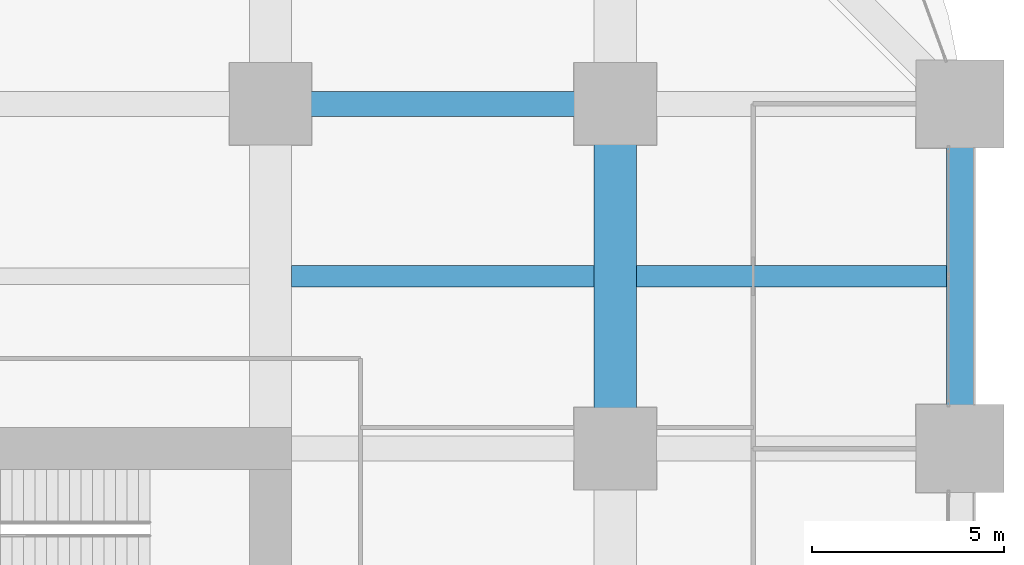
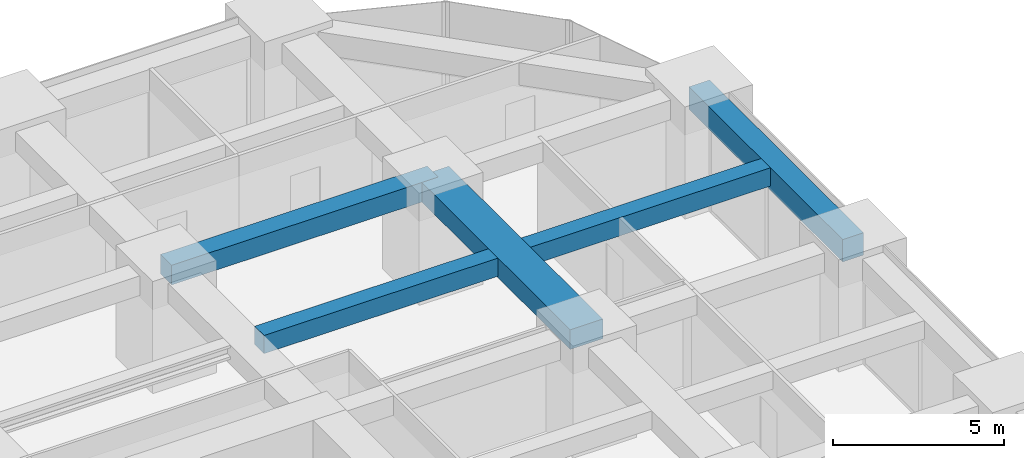
# One storey, part 33 of 44: 5 beams.
"""IFC4 building model written with IfcOpenShell, lengths in metres."""

from ifc_helpers import new_model, si_unit, direction, frame, origin, origin_2d, place, context, subcontext, project, spatial, rectangle, extrude, material, material_profile, profile_set, type_object, element, save


model = new_model("IFC4")

# Units and contexts
model_context = context("Model", 3, precision=1e-05, world=origin(), true_north=direction((0.0, 1.0)))
body_context = subcontext(model_context, "Body", "Model", "MODEL_VIEW")
ifc_project = project(units=[si_unit("LENGTHUNIT", "METRE"), si_unit("AREAUNIT", "SQUARE_METRE"), si_unit("VOLUMEUNIT", "CUBIC_METRE"), si_unit("PLANEANGLEUNIT", "RADIAN"), si_unit("MASSUNIT", "GRAM", prefix="KILO")], contexts=[model_context])

# Site, building, storey
site_placement = place(None, origin())
site = spatial("IfcSite", under=ifc_project, at=site_placement, CompositionType="ELEMENT")
building_placement = place(site_placement, origin())
building = spatial("IfcBuilding", under=site, at=building_placement, Name="Zorevar Civic Tower", CompositionType="ELEMENT")
storey_placement = place(building_placement, frame((0.0, 0.0, 55.800048828125)))
storey = spatial("IfcBuildingStorey", under=building, at=storey_placement, Name="L13", CompositionType="ELEMENT", Elevation=55.800048828125)

# Beams
ifc_material_1 = material(Name="Concrete C50/60", Category="concrete")
ifc_material_profile_1 = material_profile(ifc_material_1, rectangle(XDim=1.10009765625, YDim=0.699951171875, at=origin_2d()), Name="RC 1100x700")
ifc_profile_set_1 = profile_set([ifc_material_profile_1], Name="Concrete C50/60")
beam_type_1 = type_object("IfcBeamType", Name="Beam RC 1100x700", PredefinedType="BEAM", material=ifc_profile_set_1)
beam_1_placement = place(storey_placement, frame((54.0, 36.0, 3.39990234375), z_axis=(0.0, 1.0, 0.0), x_axis=(-1.0, 0.0, 0.0)))
element("IfcBeam", 1, at=beam_1_placement, inside=storey, type_object=beam_type_1, Name="Girder L14", PredefinedType="BEAM", context=body_context, shape_type="SweptSolid", body=[
    extrude(rectangle(XDim=1.10009765625, YDim=0.699951171875, at=origin_2d()), origin(), (0.0, 0.0, 1.0), 9.0),
])
ifc_material_2 = material(Name="Concrete C50/60", Category="concrete")
ifc_material_profile_2 = material_profile(ifc_material_2, rectangle(XDim=0.550048828125, YDim=0.64990234375, at=origin_2d()), Name="RC 550x650")
ifc_profile_set_2 = profile_set([ifc_material_profile_2], Name="Concrete C50/60")
beam_type_2 = type_object("IfcBeamType", Name="Beam RC 550x650", PredefinedType="BEAM", material=ifc_profile_set_2)
beam_2_placement = place(storey_placement, frame((45.550048828125, 40.5, 3.425048828125), z_axis=(1.0, 0.0, 0.0), x_axis=(0.0, 1.0, 0.0)))
element("IfcBeam", 2, at=beam_2_placement, inside=storey, type_object=beam_type_2, Name="Secondary beam L14", PredefinedType="BEAM", context=body_context, shape_type="SweptSolid", body=[
    extrude(rectangle(XDim=0.550048828125, YDim=0.64990234375, at=origin_2d()), origin(), (0.0, 0.0, 1.0), 7.89990234375),
])
beam_3_placement = place(storey_placement, frame((54.550048828125, 40.5, 3.425048828125), z_axis=(1.0, 0.0, 0.0), x_axis=(0.0, 1.0, 0.0)))
element("IfcBeam", 3, at=beam_3_placement, inside=storey, type_object=beam_type_2, Name="Secondary beam L14", PredefinedType="BEAM", context=body_context, shape_type="SweptSolid", body=[
    extrude(rectangle(XDim=0.550048828125, YDim=0.64990234375, at=origin_2d()), origin(), (0.0, 0.0, 1.0), 8.099853515625),
])
ifc_material_3 = material(Name="Concrete C50/60", Category="concrete")
ifc_material_profile_3 = material_profile(ifc_material_3, rectangle(XDim=0.64990234375, YDim=0.699951171875, at=origin_2d()), Name="RC 650x700")
ifc_profile_set_3 = profile_set([ifc_material_profile_3], Name="Concrete C50/60")
beam_type_3 = type_object("IfcBeamType", Name="Beam RC 650x700", PredefinedType="BEAM", material=ifc_profile_set_3)
beam_4_placement = place(storey_placement, frame((45.0, 45.0, 3.39990234375), z_axis=(1.0, 0.0, 0.0), x_axis=(0.0, 1.0, 0.0)))
element("IfcBeam", 4, at=beam_4_placement, inside=storey, type_object=beam_type_3, Name="Girder L14", PredefinedType="BEAM", context=body_context, shape_type="SweptSolid", body=[
    extrude(rectangle(XDim=0.64990234375, YDim=0.699951171875, at=origin_2d()), origin(), (0.0, 0.0, 1.0), 9.0),
])
ifc_material_4 = material(Name="Concrete C50/60", Category="concrete")
ifc_material_profile_4 = material_profile(ifc_material_4, rectangle(XDim=0.699951171875, YDim=0.800048828125, at=origin_2d()), Name="RC 700x800")
ifc_profile_set_4 = profile_set([ifc_material_profile_4], Name="Concrete C50/60")
beam_type_4 = type_object("IfcBeamType", Name="Edge beam RC 700x800", PredefinedType="SPANDREL", material=ifc_profile_set_4)
beam_5_placement = place(storey_placement, frame((63.0, 36.0, 3.349853515625), z_axis=(0.0, 1.0, 0.0), x_axis=(-1.0, 0.0, 0.0)))
element("IfcBeam", 5, at=beam_5_placement, inside=storey, type_object=beam_type_4, Name="Edge beam L14", PredefinedType="SPANDREL", context=body_context, shape_type="SweptSolid", body=[
    extrude(rectangle(XDim=0.699951171875, YDim=0.800048828125, at=origin_2d()), origin(), (0.0, 0.0, 1.0), 9.0),
])

save(model, "model.ifc")
